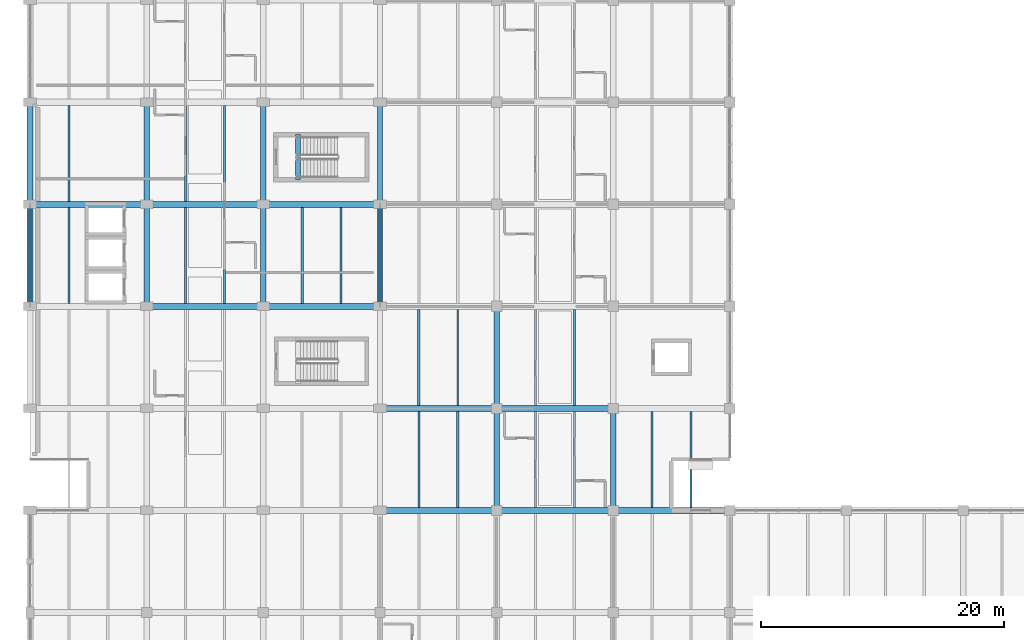
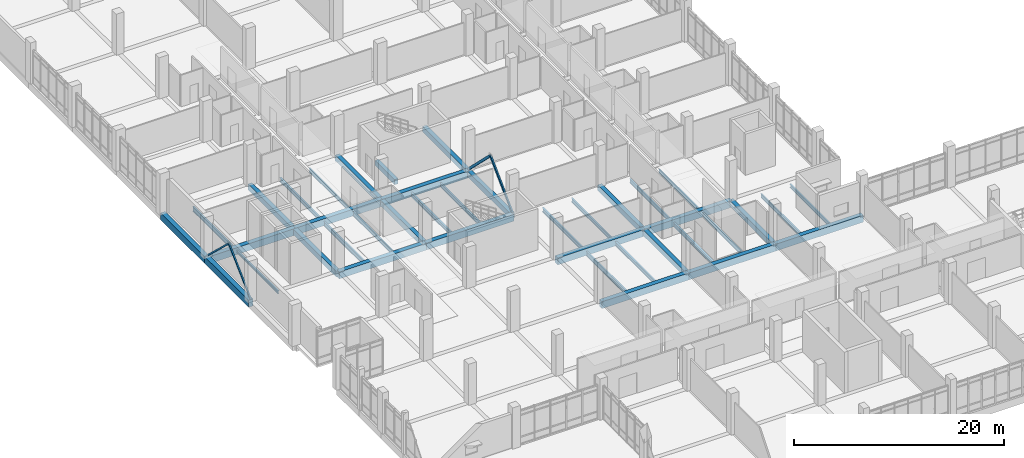
# One storey, part 15 of 152: 40 beams, 4 members.
"""IFC4 building model written with IfcOpenShell, lengths in metres."""

from ifc_helpers import new_model, si_unit, direction, frame, origin, origin_2d, place, context, subcontext, project, spatial, rectangle, hollow_rectangle, i_section, extrude, material, material_profile, profile_set, type_object, element, save


model = new_model("IFC4")

# Units and contexts
model_context = context("Model", 3, precision=1e-05, world=origin(), true_north=direction((0.0, 1.0)))
body_context = subcontext(model_context, "Body", "Model", "MODEL_VIEW")
ifc_project = project(units=[si_unit("LENGTHUNIT", "METRE"), si_unit("AREAUNIT", "SQUARE_METRE"), si_unit("VOLUMEUNIT", "CUBIC_METRE"), si_unit("PLANEANGLEUNIT", "RADIAN"), si_unit("MASSUNIT", "GRAM", prefix="KILO")], contexts=[model_context])

# Site, building, storey
site_placement = place(None, origin())
site = spatial("IfcSite", under=ifc_project, at=site_placement, CompositionType="ELEMENT")
building_placement = place(site_placement, origin())
building = spatial("IfcBuilding", under=site, at=building_placement, Name="Oolite Switchyard Hospital", CompositionType="ELEMENT")
storey_placement = place(building_placement, frame((0.0, 0.0, 5.10009765625)))
storey = spatial("IfcBuildingStorey", under=building, at=storey_placement, Name="L01", CompositionType="ELEMENT", Elevation=5.10009765625)

# Beams
ifc_material_1 = material(Name="Concrete C40/50", Category="concrete")
ifc_material_profile_1 = material_profile(ifc_material_1, rectangle(XDim=0.39990234375, YDim=0.60009765625, at=origin_2d()), Name="RCB400X600")
ifc_profile_set_1 = profile_set([ifc_material_profile_1], Name="Concrete C40/50")
beam_type_1 = type_object("IfcBeamType", Name="BM-RC400X600", PredefinedType="BEAM", material=ifc_profile_set_1)
beam_1_placement = place(storey_placement, frame((22.0400390625, 60.824951171875, -0.300048828125), z_axis=(0.0, 1.0, 0.0), x_axis=(-1.0, 0.0, 0.0)))
element("IfcBeam", 1, at=beam_1_placement, inside=storey, type_object=beam_type_1, Name="L01 ST-02 Stair Throat Trimmer Beam", PredefinedType="BEAM", context=body_context, shape_type="SweptSolid", body=[
    extrude(rectangle(XDim=0.39990234375, YDim=0.60009765625, at=origin_2d()), origin(), (0.0, 0.0, 1.0), 3.7099609375),
])
ifc_material_profile_2 = material_profile(ifc_material_1, rectangle(XDim=0.449951171875, YDim=0.64990234375, at=origin_2d()), Name="RCB450X650")
ifc_profile_set_2 = profile_set([ifc_material_profile_2], Name="Concrete C40/50")
beam_type_2 = type_object("IfcBeamType", Name="BM-RC450X650", PredefinedType="BEAM", material=ifc_profile_set_2)
beam_2_placement = place(storey_placement, frame((9.60009765625, 50.39990234375, -0.3251953125), z_axis=(0.0, 1.0, 0.0), x_axis=(-1.0, 0.0, 0.0)))
element("IfcBeam", 2, at=beam_2_placement, inside=storey, type_object=beam_type_2, Name="L01 Y-Girder 308", PredefinedType="BEAM", context=body_context, shape_type="SweptSolid", body=[
    extrude(rectangle(XDim=0.449951171875, YDim=0.64990234375, at=origin_2d()), origin(), (0.0, 0.0, 1.0), 8.400146484375),
])
beam_3_placement = place(storey_placement, frame((9.60009765625, 58.800048828125, -0.3251953125), z_axis=(0.0, 1.0, 0.0), x_axis=(-1.0, 0.0, 0.0)))
element("IfcBeam", 3, at=beam_3_placement, inside=storey, type_object=beam_type_2, Name="L01 Y-Girder 309", PredefinedType="BEAM", context=body_context, shape_type="SweptSolid", body=[
    extrude(rectangle(XDim=0.449951171875, YDim=0.64990234375, at=origin_2d()), origin(), (0.0, 0.0, 1.0), 8.39990234375),
])
beam_4_placement = place(storey_placement, frame((19.199951171875, 50.39990234375, -0.3251953125), z_axis=(0.0, 1.0, 0.0), x_axis=(-1.0, 0.0, 0.0)))
element("IfcBeam", 4, at=beam_4_placement, inside=storey, type_object=beam_type_2, Name="L01 Y-Girder 324", PredefinedType="BEAM", context=body_context, shape_type="SweptSolid", body=[
    extrude(rectangle(XDim=0.449951171875, YDim=0.64990234375, at=origin_2d()), origin(), (0.0, 0.0, 1.0), 8.400146484375),
])
beam_5_placement = place(storey_placement, frame((19.199951171875, 58.800048828125, -0.3251953125), z_axis=(0.0, 1.0, 0.0), x_axis=(-1.0, 0.0, 0.0)))
element("IfcBeam", 5, at=beam_5_placement, inside=storey, type_object=beam_type_2, Name="L01 Y-Girder 325", PredefinedType="BEAM", context=body_context, shape_type="SweptSolid", body=[
    extrude(rectangle(XDim=0.449951171875, YDim=0.64990234375, at=origin_2d()), origin(), (0.0, 0.0, 1.0), 8.39990234375),
])
beam_6_placement = place(storey_placement, frame((28.800048828125, 50.39990234375, -0.3251953125), z_axis=(0.0, 1.0, 0.0), x_axis=(-1.0, 0.0, 0.0)))
element("IfcBeam", 6, at=beam_6_placement, inside=storey, type_object=beam_type_2, Name="L01 Y-Girder 340", PredefinedType="BEAM", context=body_context, shape_type="SweptSolid", body=[
    extrude(rectangle(XDim=0.449951171875, YDim=0.64990234375, at=origin_2d()), origin(), (0.0, 0.0, 1.0), 8.400146484375),
])
for number, where, z_axis, x_axis, name in (
    (7, (28.800048828125, 58.800048828125, -0.3251953125), (0.0, 1.0, 0.0), (-1.0, 0.0, 0.0), "L01 Y-Girder 341"),
    (8, (38.39990234375, 33.60009765625, -0.3251953125), (0.0, 1.0, 0.0), (-1.0, 0.0, 0.0), "L01 Y-Girder 354"),
    (9, (38.39990234375, 42.0, -0.3251953125), (0.0, 1.0, 0.0), (-1.0, 0.0, 0.0), "L01 Y-Girder 355"),
    (10, (48.0, 33.60009765625, -0.3251953125), (0.0, 1.0, 0.0), (-1.0, 0.0, 0.0), "L01 Y-Girder 370"),
):
    element("IfcBeam", number, at=place(storey_placement, frame(where, z_axis=z_axis, x_axis=x_axis)), inside=storey, type_object=beam_type_2, Name=name, PredefinedType="BEAM", context=body_context, shape_type="SweptSolid", body=[
        extrude(rectangle(XDim=0.449951171875, YDim=0.64990234375, at=origin_2d()), origin(), (0.0, 0.0, 1.0), 8.39990234375),
    ])
ifc_material_profile_3 = material_profile(ifc_material_1, rectangle(XDim=0.5, YDim=0.800048828125, at=origin_2d()), Name="RCB500X800")
ifc_profile_set_3 = profile_set([ifc_material_profile_3], Name="Concrete C40/50")
beam_type_3 = type_object("IfcBeamType", Name="BM-RC500X800", PredefinedType="BEAM", material=ifc_profile_set_3)
beam_7_placement = place(storey_placement, frame((28.800048828125, 33.60009765625, -0.400146484375), z_axis=(1.0, 0.0, 0.0), x_axis=(0.0, 1.0, 0.0)))
element("IfcBeam", 11, at=beam_7_placement, inside=storey, type_object=beam_type_3, Name="L01 X-Girder 65", PredefinedType="BEAM", context=body_context, shape_type="SweptSolid", body=[
    extrude(rectangle(XDim=0.5, YDim=0.800048828125, at=origin_2d()), origin(), (0.0, 0.0, 1.0), 9.599853515625),
])
for number, where, z_axis, x_axis, name in (
    (12, (38.39990234375, 33.60009765625, -0.400146484375), (1.0, 0.0, 0.0), (0.0, 1.0, 0.0), "L01 X-Girder 66"),
    (13, (48.0, 33.60009765625, -0.400146484375), (1.0, 0.0, 0.0), (0.0, 1.0, 0.0), "L01 X-Girder 67"),
):
    element("IfcBeam", number, at=place(storey_placement, frame(where, z_axis=z_axis, x_axis=x_axis)), inside=storey, type_object=beam_type_3, Name=name, PredefinedType="BEAM", context=body_context, shape_type="SweptSolid", body=[
        extrude(rectangle(XDim=0.5, YDim=0.800048828125, at=origin_2d()), origin(), (0.0, 0.0, 1.0), 9.60009765625),
    ])
beam_8_placement = place(storey_placement, frame((28.800048828125, 42.0, -0.400146484375), z_axis=(1.0, 0.0, 0.0), x_axis=(0.0, 1.0, 0.0)))
element("IfcBeam", 14, at=beam_8_placement, inside=storey, type_object=beam_type_3, Name="L01 X-Girder 87", PredefinedType="BEAM", context=body_context, shape_type="SweptSolid", body=[
    extrude(rectangle(XDim=0.5, YDim=0.800048828125, at=origin_2d()), origin(), (0.0, 0.0, 1.0), 9.599853515625),
])
beam_9_placement = place(storey_placement, frame((38.39990234375, 42.0, -0.400146484375), z_axis=(1.0, 0.0, 0.0), x_axis=(0.0, 1.0, 0.0)))
element("IfcBeam", 15, at=beam_9_placement, inside=storey, type_object=beam_type_3, Name="L01 X-Girder 88", PredefinedType="BEAM", context=body_context, shape_type="SweptSolid", body=[
    extrude(rectangle(XDim=0.5, YDim=0.800048828125, at=origin_2d()), origin(), (0.0, 0.0, 1.0), 9.60009765625),
])
beam_10_placement = place(storey_placement, frame((9.60009765625, 50.39990234375, -0.400146484375), z_axis=(1.0, 0.0, 0.0), x_axis=(0.0, 1.0, 0.0)))
element("IfcBeam", 16, at=beam_10_placement, inside=storey, type_object=beam_type_3, Name="L01 X-Girder 97", PredefinedType="BEAM", context=body_context, shape_type="SweptSolid", body=[
    extrude(rectangle(XDim=0.5, YDim=0.800048828125, at=origin_2d()), origin(), (0.0, 0.0, 1.0), 9.599853515625),
])
for number, where, z_axis, x_axis, name in (
    (17, (19.199951171875, 50.39990234375, -0.400146484375), (1.0, 0.0, 0.0), (0.0, 1.0, 0.0), "L01 X-Girder 98"),
    (18, (0.0, 58.800048828125, -0.400146484375), (1.0, 0.0, 0.0), (0.0, 1.0, 0.0), "L01 X-Girder 112"),
):
    element("IfcBeam", number, at=place(storey_placement, frame(where, z_axis=z_axis, x_axis=x_axis)), inside=storey, type_object=beam_type_3, Name=name, PredefinedType="BEAM", context=body_context, shape_type="SweptSolid", body=[
        extrude(rectangle(XDim=0.5, YDim=0.800048828125, at=origin_2d()), origin(), (0.0, 0.0, 1.0), 9.60009765625),
    ])
beam_11_placement = place(storey_placement, frame((9.60009765625, 58.800048828125, -0.400146484375), z_axis=(1.0, 0.0, 0.0), x_axis=(0.0, 1.0, 0.0)))
element("IfcBeam", 19, at=beam_11_placement, inside=storey, type_object=beam_type_3, Name="L01 X-Girder 113", PredefinedType="BEAM", context=body_context, shape_type="SweptSolid", body=[
    extrude(rectangle(XDim=0.5, YDim=0.800048828125, at=origin_2d()), origin(), (0.0, 0.0, 1.0), 9.599853515625),
])
beam_12_placement = place(storey_placement, frame((19.199951171875, 58.800048828125, -0.400146484375), z_axis=(1.0, 0.0, 0.0), x_axis=(0.0, 1.0, 0.0)))
element("IfcBeam", 20, at=beam_12_placement, inside=storey, type_object=beam_type_3, Name="L01 X-Girder 114", PredefinedType="BEAM", context=body_context, shape_type="SweptSolid", body=[
    extrude(rectangle(XDim=0.5, YDim=0.800048828125, at=origin_2d()), origin(), (0.0, 0.0, 1.0), 9.60009765625),
])
beam_13_placement = place(storey_placement, frame((0.0, 50.39990234375, -0.400146484375), z_axis=(0.0, 1.0, 0.0), x_axis=(-1.0, 0.0, 0.0)))
element("IfcBeam", 21, at=beam_13_placement, inside=storey, type_object=beam_type_3, Name="L01 Y-Girder 293", PredefinedType="BEAM", context=body_context, shape_type="SweptSolid", body=[
    extrude(rectangle(XDim=0.5, YDim=0.800048828125, at=origin_2d()), origin(), (0.0, 0.0, 1.0), 8.400146484375),
])
beam_14_placement = place(storey_placement, frame((0.0, 58.800048828125, -0.400146484375), z_axis=(0.0, 1.0, 0.0), x_axis=(-1.0, 0.0, 0.0)))
element("IfcBeam", 22, at=beam_14_placement, inside=storey, type_object=beam_type_3, Name="L01 Y-Girder 294", PredefinedType="BEAM", context=body_context, shape_type="SweptSolid", body=[
    extrude(rectangle(XDim=0.5, YDim=0.800048828125, at=origin_2d()), origin(), (0.0, 0.0, 1.0), 8.39990234375),
])
ifc_material_2 = material(Name="Steel ASTM A992 Grade 50", Category="steel")
ifc_material_profile_4 = material_profile(ifc_material_2, i_section(OverallWidth=0.1650390625, OverallDepth=0.31005859375, WebThickness=0.006103515625, FlangeThickness=0.010009765625, at=origin_2d()), Name="W12X26")
ifc_profile_set_4 = profile_set([ifc_material_profile_4], Name="Steel ASTM A992 Grade 50")
beam_type_4 = type_object("IfcBeamType", Name="BM-W12X26", PredefinedType="JOIST", material=ifc_profile_set_4)
beam_15_placement = place(storey_placement, frame((3.199951171875, 50.64990234375, -0.43017578125), z_axis=(0.0, 1.0, 0.0), x_axis=(-1.0, 0.0, 0.0)))
element("IfcBeam", 23, at=beam_15_placement, inside=storey, type_object=beam_type_4, Name="L01 Secondary Steel Joist 574", PredefinedType="JOIST", context=body_context, shape_type="SweptSolid", body=[
    extrude(i_section(OverallWidth=0.1650390625, OverallDepth=0.31005859375, WebThickness=0.006103515625, FlangeThickness=0.010009765625, at=origin_2d()), origin(), (0.0, 0.0, 1.0), 7.900146484375),
])
ifc_material_profile_5 = material_profile(ifc_material_2, i_section(OverallWidth=0.179931640625, OverallDepth=0.4130859375, WebThickness=0.010009765625, FlangeThickness=0.01611328125, at=origin_2d()), Name="W16X50")
ifc_profile_set_5 = profile_set([ifc_material_profile_5], Name="Steel ASTM A992 Grade 50")
beam_type_5 = type_object("IfcBeamType", Name="BM-W16X50", PredefinedType="JOIST", material=ifc_profile_set_5)
for number, where, z_axis, x_axis, name in (
    (24, (44.800048828125, 42.25, -0.506103515625), (0.0, 1.0, 0.0), (-1.0, 0.0, 0.0), "L01 Secondary Steel Joist 691"),
    (25, (54.39990234375, 33.85009765625, -0.506103515625), (0.0, 1.0, 0.0), (-1.0, 0.0, 0.0), "L01 Secondary Steel Joist 719"),
):
    element("IfcBeam", number, at=place(storey_placement, frame(where, z_axis=z_axis, x_axis=x_axis)), inside=storey, type_object=beam_type_5, Name=name, PredefinedType="JOIST", context=body_context, shape_type="SweptSolid", body=[
        extrude(i_section(OverallWidth=0.179931640625, OverallDepth=0.4130859375, WebThickness=0.010009765625, FlangeThickness=0.01611328125, at=origin_2d()), origin(), (0.0, 0.0, 1.0), 7.89990234375),
    ])
ifc_material_profile_6 = material_profile(ifc_material_2, i_section(OverallWidth=0.153076171875, OverallDepth=0.455078125, WebThickness=0.008056640625, FlangeThickness=0.012939453125, at=origin_2d()), Name="W18X40")
ifc_profile_set_6 = profile_set([ifc_material_profile_6], Name="Steel ASTM A992 Grade 50")
beam_type_6 = type_object("IfcBeamType", Name="BM-W18X40", PredefinedType="JOIST", material=ifc_profile_set_6)
beam_16_placement = place(storey_placement, frame((16.0, 59.050048828125, -0.503173828125), z_axis=(0.0, 1.0, 0.0), x_axis=(-1.0, 0.0, 0.0)))
element("IfcBeam", 26, at=beam_16_placement, inside=storey, type_object=beam_type_6, Name="L01 Secondary Steel Joist 605", PredefinedType="JOIST", context=body_context, shape_type="SweptSolid", body=[
    extrude(i_section(OverallWidth=0.153076171875, OverallDepth=0.455078125, WebThickness=0.008056640625, FlangeThickness=0.012939453125, at=origin_2d()), origin(), (0.0, 0.0, 1.0), 7.89990234375),
])
beam_17_placement = place(storey_placement, frame((25.60009765625, 50.64990234375, -0.503173828125), z_axis=(0.0, 1.0, 0.0), x_axis=(-1.0, 0.0, 0.0)))
element("IfcBeam", 27, at=beam_17_placement, inside=storey, type_object=beam_type_6, Name="L01 Secondary Steel Joist 633", PredefinedType="JOIST", context=body_context, shape_type="SweptSolid", body=[
    extrude(i_section(OverallWidth=0.153076171875, OverallDepth=0.455078125, WebThickness=0.008056640625, FlangeThickness=0.012939453125, at=origin_2d()), origin(), (0.0, 0.0, 1.0), 7.900146484375),
])
for number, where, z_axis, x_axis, name in (
    (28, (35.199951171875, 42.25, -0.528076171875), (0.0, 1.0, 0.0), (-1.0, 0.0, 0.0), "L01 Secondary Steel Joist 661"),
    (29, (44.800048828125, 33.85009765625, -0.528076171875), (0.0, 1.0, 0.0), (-1.0, 0.0, 0.0), "L01 Secondary Steel Joist 689"),
    (30, (41.60009765625, 42.25, -0.528076171875), (0.0, 1.0, 0.0), (-1.0, 0.0, 0.0), "L01 Secondary Steel Joist 690"),
    (31, (51.199951171875, 33.85009765625, -0.528076171875), (0.0, 1.0, 0.0), (-1.0, 0.0, 0.0), "L01 Secondary Steel Joist 718"),
):
    element("IfcBeam", number, at=place(storey_placement, frame(where, z_axis=z_axis, x_axis=x_axis)), inside=storey, type_object=beam_type_6, Name=name, PredefinedType="JOIST", context=body_context, shape_type="SweptSolid", body=[
        extrude(i_section(OverallWidth=0.153076171875, OverallDepth=0.455078125, WebThickness=0.008056640625, FlangeThickness=0.012939453125, at=origin_2d()), origin(), (0.0, 0.0, 1.0), 7.89990234375),
    ])
ifc_material_profile_7 = material_profile(ifc_material_2, i_section(OverallWidth=0.19091796875, OverallDepth=0.4599609375, WebThickness=0.010009765625, FlangeThickness=0.01611328125, at=origin_2d()), Name="W18X55")
ifc_profile_set_7 = profile_set([ifc_material_profile_7], Name="Steel ASTM A992 Grade 50")
beam_type_7 = type_object("IfcBeamType", Name="BM-W18X55", PredefinedType="JOIST", material=ifc_profile_set_7)
beam_18_placement = place(storey_placement, frame((16.0, 50.64990234375, -0.505126953125), z_axis=(0.0, 1.0, 0.0), x_axis=(-1.0, 0.0, 0.0)))
element("IfcBeam", 32, at=beam_18_placement, inside=storey, type_object=beam_type_7, Name="L01 Secondary Steel Joist 603", PredefinedType="JOIST", context=body_context, shape_type="SweptSolid", body=[
    extrude(i_section(OverallWidth=0.19091796875, OverallDepth=0.4599609375, WebThickness=0.010009765625, FlangeThickness=0.01611328125, at=origin_2d()), origin(), (0.0, 0.0, 1.0), 7.900146484375),
])
beam_19_placement = place(storey_placement, frame((12.800048828125, 59.050048828125, -0.505126953125), z_axis=(0.0, 1.0, 0.0), x_axis=(-1.0, 0.0, 0.0)))
element("IfcBeam", 33, at=beam_19_placement, inside=storey, type_object=beam_type_7, Name="L01 Secondary Steel Joist 604", PredefinedType="JOIST", context=body_context, shape_type="SweptSolid", body=[
    extrude(i_section(OverallWidth=0.19091796875, OverallDepth=0.4599609375, WebThickness=0.010009765625, FlangeThickness=0.01611328125, at=origin_2d()), origin(), (0.0, 0.0, 1.0), 7.89990234375),
])
beam_20_placement = place(storey_placement, frame((22.39990234375, 50.64990234375, -0.505126953125), z_axis=(0.0, 1.0, 0.0), x_axis=(-1.0, 0.0, 0.0)))
element("IfcBeam", 34, at=beam_20_placement, inside=storey, type_object=beam_type_7, Name="L01 Secondary Steel Joist 632", PredefinedType="JOIST", context=body_context, shape_type="SweptSolid", body=[
    extrude(i_section(OverallWidth=0.19091796875, OverallDepth=0.4599609375, WebThickness=0.010009765625, FlangeThickness=0.01611328125, at=origin_2d()), origin(), (0.0, 0.0, 1.0), 7.900146484375),
])
for number, where, z_axis, x_axis, name in (
    (35, (35.199951171875, 33.85009765625, -0.530029296875), (0.0, 1.0, 0.0), (-1.0, 0.0, 0.0), "L01 Secondary Steel Joist 659"),
    (36, (32.0, 42.25, -0.530029296875), (0.0, 1.0, 0.0), (-1.0, 0.0, 0.0), "L01 Secondary Steel Joist 660"),
    (37, (41.60009765625, 33.85009765625, -0.530029296875), (0.0, 1.0, 0.0), (-1.0, 0.0, 0.0), "L01 Secondary Steel Joist 688"),
):
    element("IfcBeam", number, at=place(storey_placement, frame(where, z_axis=z_axis, x_axis=x_axis)), inside=storey, type_object=beam_type_7, Name=name, PredefinedType="JOIST", context=body_context, shape_type="SweptSolid", body=[
        extrude(i_section(OverallWidth=0.19091796875, OverallDepth=0.4599609375, WebThickness=0.010009765625, FlangeThickness=0.01611328125, at=origin_2d()), origin(), (0.0, 0.0, 1.0), 7.89990234375),
    ])
ifc_material_profile_8 = material_profile(ifc_material_2, i_section(OverallWidth=0.166015625, OverallDepth=0.529052734375, WebThickness=0.010009765625, FlangeThickness=0.013916015625, at=origin_2d()), Name="W21X50")
ifc_profile_set_8 = profile_set([ifc_material_profile_8], Name="Steel ASTM A992 Grade 50")
beam_type_8 = type_object("IfcBeamType", Name="BM-W21X50", PredefinedType="JOIST", material=ifc_profile_set_8)
beam_21_placement = place(storey_placement, frame((3.199951171875, 59.050048828125, -0.5400390625), z_axis=(0.0, 1.0, 0.0), x_axis=(-1.0, 0.0, 0.0)))
element("IfcBeam", 38, at=beam_21_placement, inside=storey, type_object=beam_type_8, Name="L01 Secondary Steel Joist 575", PredefinedType="JOIST", context=body_context, shape_type="SweptSolid", body=[
    extrude(i_section(OverallWidth=0.166015625, OverallDepth=0.529052734375, WebThickness=0.010009765625, FlangeThickness=0.013916015625, at=origin_2d()), origin(), (0.0, 0.0, 1.0), 7.89990234375),
])
beam_22_placement = place(storey_placement, frame((12.800048828125, 50.64990234375, -0.5400390625), z_axis=(0.0, 1.0, 0.0), x_axis=(-1.0, 0.0, 0.0)))
element("IfcBeam", 39, at=beam_22_placement, inside=storey, type_object=beam_type_8, Name="L01 Secondary Steel Joist 602", PredefinedType="JOIST", context=body_context, shape_type="SweptSolid", body=[
    extrude(i_section(OverallWidth=0.166015625, OverallDepth=0.529052734375, WebThickness=0.010009765625, FlangeThickness=0.013916015625, at=origin_2d()), origin(), (0.0, 0.0, 1.0), 7.900146484375),
])
beam_23_placement = place(storey_placement, frame((32.0, 33.85009765625, -0.564208984375), z_axis=(0.0, 1.0, 0.0), x_axis=(-1.0, 0.0, 0.0)))
element("IfcBeam", 40, at=beam_23_placement, inside=storey, type_object=beam_type_8, Name="L01 Secondary Steel Joist 658", PredefinedType="JOIST", context=body_context, shape_type="SweptSolid", body=[
    extrude(i_section(OverallWidth=0.166015625, OverallDepth=0.529052734375, WebThickness=0.010009765625, FlangeThickness=0.013916015625, at=origin_2d()), origin(), (0.0, 0.0, 1.0), 7.89990234375),
])

# Members
ifc_material_3 = material(Name="Steel ASTM A500 Grade C", Category="steel")
ifc_material_profile_9 = material_profile(ifc_material_3, hollow_rectangle(XDim=0.152099609375, YDim=0.152099609375, WallThickness=0.010009765625, at=origin_2d()), Name="HSS152X152X10")
ifc_profile_set_9 = profile_set([ifc_material_profile_9], Name="Steel ASTM A500 Grade C")
member_type_1 = type_object("IfcMemberType", Name="MEM-BR-HSS152", PredefinedType="BRACE", material=ifc_profile_set_9)
member_1_placement = place(storey_placement, frame((0.0, 50.39990234375, 0.02001953125), z_axis=(0.0, 0.725879505094, 0.687821883982), x_axis=(-1.0, 0.0, 0.0)))
element("IfcMember", 41, at=member_1_placement, inside=storey, type_object=member_type_1, Name="L01 Chevron Brace 3", PredefinedType="BRACE", context=body_context, shape_type="SweptSolid", body=[
    extrude(hollow_rectangle(XDim=0.152099609375, YDim=0.152099609375, WallThickness=0.010009765625, at=origin_2d()), origin(), (0.0, 0.0, 1.0), 5.786376953125),
])
member_2_placement = place(storey_placement, frame((0.0, 58.800048828125, 0.02001953125), z_axis=(0.0, -0.725859542957, 0.687842950025), x_axis=(1.0, 0.0, 0.0)))
element("IfcMember", 42, at=member_2_placement, inside=storey, type_object=member_type_1, Name="L01 Chevron Brace 4", PredefinedType="BRACE", context=body_context, shape_type="SweptSolid", body=[
    extrude(hollow_rectangle(XDim=0.152099609375, YDim=0.152099609375, WallThickness=0.010009765625, at=origin_2d()), origin(), (0.0, 0.0, 1.0), 5.7861328125),
])
ifc_material_profile_10 = material_profile(ifc_material_3, hollow_rectangle(XDim=0.152099609375, YDim=0.25390625, WallThickness=0.012939453125, at=origin_2d()), Name="HSS254X152X13")
ifc_profile_set_10 = profile_set([ifc_material_profile_10], Name="Steel ASTM A500 Grade C")
member_type_2 = type_object("IfcMemberType", Name="MEM-BR-RHS254", PredefinedType="BRACE", material=ifc_profile_set_10)
for number, where, z_axis, x_axis, name in (
    (43, (28.800048828125, 50.39990234375, 0.02001953125), (0.0, 0.713049925214, 0.701113260574), (-1.0, 0.0, 0.0), "L01 Chevron Brace 17"),
    (44, (28.800048828125, 58.800048828125, 0.02001953125), (0.0, -0.713029550753, 0.701133981314), (1.0, 0.0, 0.0), "L01 Chevron Brace 18"),
):
    element("IfcMember", number, at=place(storey_placement, frame(where, z_axis=z_axis, x_axis=x_axis)), inside=storey, type_object=member_type_2, Name=name, PredefinedType="BRACE", context=body_context, shape_type="SweptSolid", body=[
        extrude(hollow_rectangle(XDim=0.152099609375, YDim=0.25390625, WallThickness=0.012939453125, at=origin_2d()), origin(), (0.0, 0.0, 1.0), 5.890380859375),
    ])

save(model, "model.ifc")
